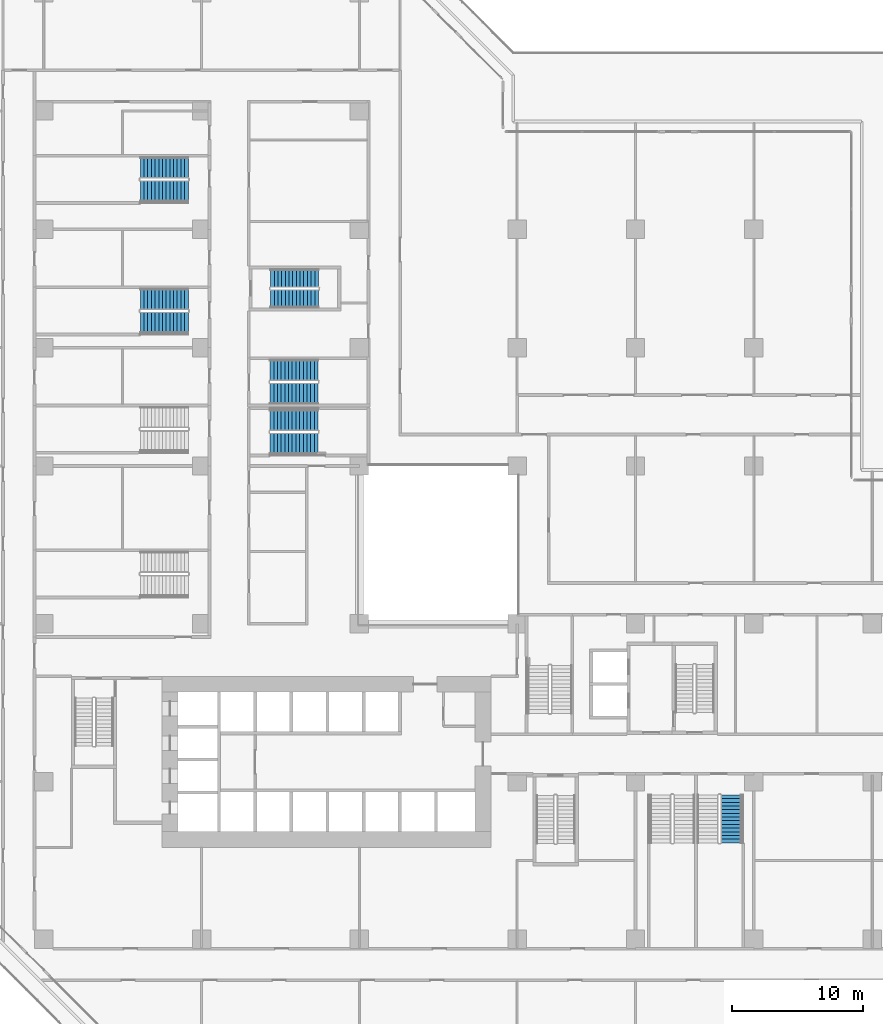
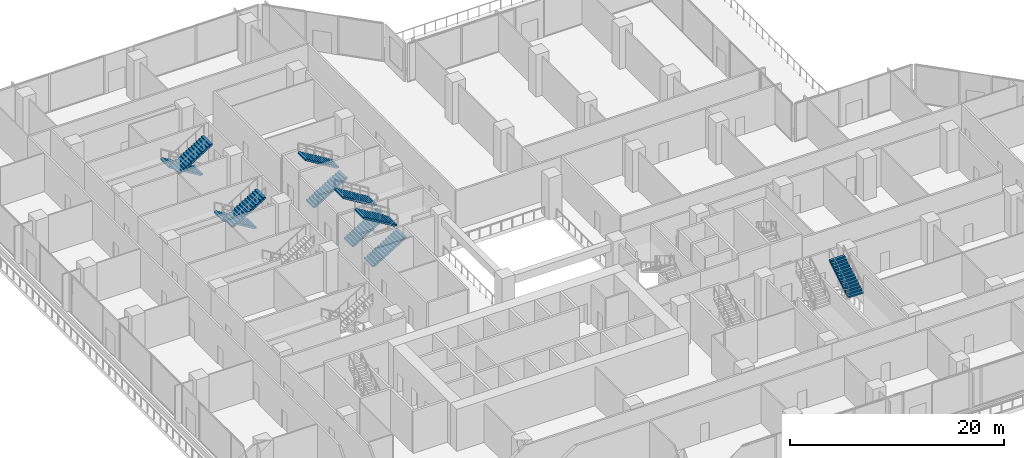
# One storey, part 23 of 31: 11 stair flights, 6 elements without a shape of their own.
"""IFC4 building model written with IfcOpenShell, lengths in metres."""

from ifc_helpers import new_model, si_unit, direction, frame, origin, place, context, subcontext, project, spatial, polyline, outline, extrude, material, type_object, element, aggregate, save


model = new_model("IFC4")

# Units and contexts
model_context = context("Model", 3, precision=1e-05, world=origin(), true_north=direction((0.0, 1.0)))
body_context = subcontext(model_context, "Body", "Model", "MODEL_VIEW")
ifc_project = project(units=[si_unit("LENGTHUNIT", "METRE"), si_unit("AREAUNIT", "SQUARE_METRE"), si_unit("VOLUMEUNIT", "CUBIC_METRE"), si_unit("PLANEANGLEUNIT", "RADIAN"), si_unit("MASSUNIT", "GRAM", prefix="KILO")], contexts=[model_context])

# Site, building, storey
site_placement = place(None, origin())
site = spatial("IfcSite", under=ifc_project, at=site_placement, CompositionType="ELEMENT")
building_placement = place(site_placement, origin())
building = spatial("IfcBuilding", under=site, at=building_placement, Name="Chenar Terraces", CompositionType="ELEMENT")
storey_placement = place(building_placement, frame((0.0, 0.0, 12.0)))
storey = spatial("IfcBuildingStorey", under=building, at=storey_placement, Name="L02", CompositionType="ELEMENT", Elevation=12.0)

# Stair, stair flights
ifc_material_1 = material(Name="Reinforced concrete C40/50", Category="concrete")
stair_type = type_object("IfcStairType", Name="Core stair 1400 half-turn", PredefinedType="HALF_TURN_STAIR", material=ifc_material_1)
placement = place(storey_placement, origin())
stair_1 = element("IfcStair", 1, at=placement, inside=storey, type_object=stair_type, Name="L02 Stair 4", PredefinedType="HALF_TURN_STAIR")
ifc_material_2 = material(Name="Reinforced concrete C40/50", Category="concrete")
stair_flight_type = type_object("IfcStairFlightType", Name="Core stair flight 1400", PredefinedType="STRAIGHT", material=ifc_material_2)
stair_flight_1_placement = place(storey_placement, frame((17.25, 48.72509765625, 0.0), z_axis=(0.0, 0.0, 1.0), x_axis=(1.0, 0.0, 0.0)))
stair_flight_1 = element("IfcStairFlight", 2, at=stair_flight_1_placement, type_object=stair_flight_type, Name="ST4 flight 1", NumberOfRisers=14, NumberOfTreads=13, PredefinedType="STRAIGHT", RiserHeight=0.171428571, TreadLength=0.28, context=body_context, shape_type="SweptSolid", body=[
    extrude(outline(polyline([(-0.0029296875, 0.0), (-0.0029296875, 0.17138671875), (0.0, 0.17138671875), (0.280029296875, 0.17138671875), (0.280029296875, 0.3427734375), (0.56005859375, 0.3427734375), (0.56005859375, 0.514404296875), (0.840087890625, 0.514404296875), (0.840087890625, 0.685791015625), (1.1201171875, 0.685791015625), (1.1201171875, 0.857177734375), (1.39990234375, 0.857177734375), (1.39990234375, 1.028564453125), (1.679931640625, 1.028564453125), (1.679931640625, 1.199951171875), (1.9599609375, 1.199951171875), (1.9599609375, 1.371337890625), (2.239990234375, 1.371337890625), (2.239990234375, 1.54296875), (2.52001953125, 1.54296875), (2.52001953125, 1.71435546875), (2.800048828125, 1.71435546875), (2.800048828125, 1.8857421875), (3.080078125, 1.8857421875), (3.080078125, 2.05712890625), (3.360107421875, 2.05712890625), (3.360107421875, 2.228515625), (3.639892578125, 2.228515625), (3.64306640625, 2.228515625), (3.64306640625, 2.052734375), (3.639892578125, 2.052734375), (0.287109375, 0.0), (-0.0029296875, 0.0)])), frame((0.0, 0.699951171875, 0.0), z_axis=(0.0, -1.0, 0.0), x_axis=(1.0, 0.0, 0.0)), (0.0, 0.0, 1.0), 1.39990234375),
])
stair_flight_2_placement = place(storey_placement, frame((20.889892578125, 50.27490234375, 2.39990234375), z_axis=(0.0, 0.0, 1.0), x_axis=(-1.0, 0.0, 0.0)))
stair_flight_2 = element("IfcStairFlight", 3, at=stair_flight_2_placement, type_object=stair_flight_type, Name="ST4 flight 2", NumberOfRisers=14, NumberOfTreads=13, PredefinedType="STRAIGHT", RiserHeight=0.171428571, TreadLength=0.28, context=body_context, shape_type="SweptSolid", body=[
    extrude(outline(polyline([(-0.0029296875, 0.0), (-0.0029296875, 0.17138671875), (0.0, 0.17138671875), (0.280029296875, 0.17138671875), (0.280029296875, 0.3427734375), (0.56005859375, 0.3427734375), (0.56005859375, 0.514404296875), (0.840087890625, 0.514404296875), (0.840087890625, 0.685791015625), (1.1201171875, 0.685791015625), (1.1201171875, 0.857177734375), (1.39990234375, 0.857177734375), (1.39990234375, 1.028564453125), (1.679931640625, 1.028564453125), (1.679931640625, 1.199951171875), (1.9599609375, 1.199951171875), (1.9599609375, 1.371337890625), (2.239990234375, 1.371337890625), (2.239990234375, 1.54296875), (2.52001953125, 1.54296875), (2.52001953125, 1.71435546875), (2.800048828125, 1.71435546875), (2.800048828125, 1.8857421875), (3.080078125, 1.8857421875), (3.080078125, 2.05712890625), (3.360107421875, 2.05712890625), (3.360107421875, 2.228515625), (3.639892578125, 2.228515625), (3.64306640625, 2.228515625), (3.64306640625, 2.052734375), (3.639892578125, 2.052734375), (0.287109375, 0.0), (-0.0029296875, 0.0)])), frame((0.0, 0.699951171875, 0.0), z_axis=(0.0, -1.0, 0.0), x_axis=(1.0, 0.0, 0.0)), (0.0, 0.0, 1.0), 1.39990234375),
])
aggregate(stair_1, [stair_flight_1, stair_flight_2])

# Stair, stair flight
stair_2 = element("IfcStair", 4, at=placement, inside=storey, type_object=stair_type, Name="L02 Exit stair PS2", PredefinedType="HALF_TURN_STAIR")
stair_flight_3_placement = place(storey_placement, frame((52.282470703125, 7.344970703125, 2.39990234375), z_axis=(0.0, 0.0, 1.0), x_axis=(0.0, 1.0, 0.0)))
stair_flight_3 = element("IfcStairFlight", 5, at=stair_flight_3_placement, type_object=stair_flight_type, Name="PS2 flight 2", NumberOfRisers=14, NumberOfTreads=13, PredefinedType="STRAIGHT", RiserHeight=0.171428571, TreadLength=0.28, context=body_context, shape_type="SweptSolid", body=[
    extrude(outline(polyline([(-0.0029296875, 0.0), (-0.0029296875, 0.17138671875), (0.0, 0.17138671875), (0.280029296875, 0.17138671875), (0.280029296875, 0.3427734375), (0.56005859375, 0.3427734375), (0.56005859375, 0.514404296875), (0.840087890625, 0.514404296875), (0.840087890625, 0.685791015625), (1.1201171875, 0.685791015625), (1.1201171875, 0.857177734375), (1.39990234375, 0.857177734375), (1.39990234375, 1.028564453125), (1.679931640625, 1.028564453125), (1.679931640625, 1.199951171875), (1.9599609375, 1.199951171875), (1.9599609375, 1.371337890625), (2.239990234375, 1.371337890625), (2.239990234375, 1.54296875), (2.52001953125, 1.54296875), (2.52001953125, 1.71435546875), (2.800048828125, 1.71435546875), (2.800048828125, 1.8857421875), (3.080078125, 1.8857421875), (3.080078125, 2.05712890625), (3.360107421875, 2.05712890625), (3.360107421875, 2.228515625), (3.639892578125, 2.228515625), (3.64306640625, 2.228515625), (3.64306640625, 2.052734375), (3.639892578125, 2.052734375), (0.287109375, 0.0), (-0.0029296875, 0.0)])), frame((0.0, 0.8076171875, 0.0), z_axis=(0.0, -1.0, 0.0), x_axis=(1.0, 0.0, 0.0)), (0.0, 0.0, 1.0), 1.614990234375),
])
aggregate(stair_2, [stair_flight_3])

# Stair, stair flights
stair_3 = element("IfcStair", 6, at=placement, inside=storey, type_object=stair_type, Name="L02 Exit stair PS3", PredefinedType="HALF_TURN_STAIR")
stair_flight_4_placement = place(storey_placement, frame((10.985107421875, 58.6826171875, 0.0), z_axis=(0.0, 0.0, 1.0), x_axis=(-1.0, 0.0, 0.0)))
stair_flight_4 = element("IfcStairFlight", 7, at=stair_flight_4_placement, type_object=stair_flight_type, Name="PS3 flight 1", NumberOfRisers=14, NumberOfTreads=13, PredefinedType="STRAIGHT", RiserHeight=0.171428571, TreadLength=0.28, context=body_context, shape_type="SweptSolid", body=[
    extrude(outline(polyline([(-0.0029296875, 0.0), (-0.0029296875, 0.17138671875), (0.0, 0.17138671875), (0.280029296875, 0.17138671875), (0.280029296875, 0.3427734375), (0.56005859375, 0.3427734375), (0.56005859375, 0.514404296875), (0.840087890625, 0.514404296875), (0.840087890625, 0.685791015625), (1.1201171875, 0.685791015625), (1.1201171875, 0.857177734375), (1.39990234375, 0.857177734375), (1.39990234375, 1.028564453125), (1.679931640625, 1.028564453125), (1.679931640625, 1.199951171875), (1.9599609375, 1.199951171875), (1.9599609375, 1.371337890625), (2.239990234375, 1.371337890625), (2.239990234375, 1.54296875), (2.52001953125, 1.54296875), (2.52001953125, 1.71435546875), (2.800048828125, 1.71435546875), (2.800048828125, 1.8857421875), (3.080078125, 1.8857421875), (3.080078125, 2.05712890625), (3.360107421875, 2.05712890625), (3.360107421875, 2.228515625), (3.639892578125, 2.228515625), (3.64306640625, 2.228515625), (3.64306640625, 2.052734375), (3.639892578125, 2.052734375), (0.287109375, 0.0), (-0.0029296875, 0.0)])), frame((0.0, 0.8076171875, 0.0), z_axis=(0.0, -1.0, 0.0), x_axis=(1.0, 0.0, 0.0)), (0.0, 0.0, 1.0), 1.614990234375),
])
stair_flight_5_placement = place(storey_placement, frame((7.344970703125, 56.91748046875, 2.39990234375), z_axis=(0.0, 0.0, 1.0), x_axis=(1.0, 0.0, 0.0)))
stair_flight_5 = element("IfcStairFlight", 8, at=stair_flight_5_placement, type_object=stair_flight_type, Name="PS3 flight 2", NumberOfRisers=14, NumberOfTreads=13, PredefinedType="STRAIGHT", RiserHeight=0.171428571, TreadLength=0.28, context=body_context, shape_type="SweptSolid", body=[
    extrude(outline(polyline([(-0.0029296875, 0.0), (-0.0029296875, 0.17138671875), (0.0, 0.17138671875), (0.280029296875, 0.17138671875), (0.280029296875, 0.3427734375), (0.56005859375, 0.3427734375), (0.56005859375, 0.514404296875), (0.840087890625, 0.514404296875), (0.840087890625, 0.685791015625), (1.1201171875, 0.685791015625), (1.1201171875, 0.857177734375), (1.39990234375, 0.857177734375), (1.39990234375, 1.028564453125), (1.679931640625, 1.028564453125), (1.679931640625, 1.199951171875), (1.9599609375, 1.199951171875), (1.9599609375, 1.371337890625), (2.239990234375, 1.371337890625), (2.239990234375, 1.54296875), (2.52001953125, 1.54296875), (2.52001953125, 1.71435546875), (2.800048828125, 1.71435546875), (2.800048828125, 1.8857421875), (3.080078125, 1.8857421875), (3.080078125, 2.05712890625), (3.360107421875, 2.05712890625), (3.360107421875, 2.228515625), (3.639892578125, 2.228515625), (3.64306640625, 2.228515625), (3.64306640625, 2.052734375), (3.639892578125, 2.052734375), (0.287109375, 0.0), (-0.0029296875, 0.0)])), frame((0.0, 0.8076171875, 0.0), z_axis=(0.0, -1.0, 0.0), x_axis=(1.0, 0.0, 0.0)), (0.0, 0.0, 1.0), 1.614990234375),
])
aggregate(stair_3, [stair_flight_4, stair_flight_5])

stair_4 = element("IfcStair", 9, at=placement, inside=storey, type_object=stair_type, Name="L02 Exit stair PS4", PredefinedType="HALF_TURN_STAIR")
stair_flight_6_placement = place(storey_placement, frame((10.985107421875, 48.6826171875, 0.0), z_axis=(0.0, 0.0, 1.0), x_axis=(-1.0, 0.0, 0.0)))
stair_flight_6 = element("IfcStairFlight", 10, at=stair_flight_6_placement, type_object=stair_flight_type, Name="PS4 flight 1", NumberOfRisers=14, NumberOfTreads=13, PredefinedType="STRAIGHT", RiserHeight=0.171428571, TreadLength=0.28, context=body_context, shape_type="SweptSolid", body=[
    extrude(outline(polyline([(-0.0029296875, 0.0), (-0.0029296875, 0.17138671875), (0.0, 0.17138671875), (0.280029296875, 0.17138671875), (0.280029296875, 0.3427734375), (0.56005859375, 0.3427734375), (0.56005859375, 0.514404296875), (0.840087890625, 0.514404296875), (0.840087890625, 0.685791015625), (1.1201171875, 0.685791015625), (1.1201171875, 0.857177734375), (1.39990234375, 0.857177734375), (1.39990234375, 1.028564453125), (1.679931640625, 1.028564453125), (1.679931640625, 1.199951171875), (1.9599609375, 1.199951171875), (1.9599609375, 1.371337890625), (2.239990234375, 1.371337890625), (2.239990234375, 1.54296875), (2.52001953125, 1.54296875), (2.52001953125, 1.71435546875), (2.800048828125, 1.71435546875), (2.800048828125, 1.8857421875), (3.080078125, 1.8857421875), (3.080078125, 2.05712890625), (3.360107421875, 2.05712890625), (3.360107421875, 2.228515625), (3.639892578125, 2.228515625), (3.64306640625, 2.228515625), (3.64306640625, 2.052734375), (3.639892578125, 2.052734375), (0.287109375, 0.0), (-0.0029296875, 0.0)])), frame((0.0, 0.8076171875, 0.0), z_axis=(0.0, -1.0, 0.0), x_axis=(1.0, 0.0, 0.0)), (0.0, 0.0, 1.0), 1.614990234375),
])
stair_flight_7_placement = place(storey_placement, frame((7.344970703125, 46.91748046875, 2.39990234375), z_axis=(0.0, 0.0, 1.0), x_axis=(1.0, 0.0, 0.0)))
stair_flight_7 = element("IfcStairFlight", 11, at=stair_flight_7_placement, type_object=stair_flight_type, Name="PS4 flight 2", NumberOfRisers=14, NumberOfTreads=13, PredefinedType="STRAIGHT", RiserHeight=0.171428571, TreadLength=0.28, context=body_context, shape_type="SweptSolid", body=[
    extrude(outline(polyline([(-0.0029296875, 0.0), (-0.0029296875, 0.17138671875), (0.0, 0.17138671875), (0.280029296875, 0.17138671875), (0.280029296875, 0.3427734375), (0.56005859375, 0.3427734375), (0.56005859375, 0.514404296875), (0.840087890625, 0.514404296875), (0.840087890625, 0.685791015625), (1.1201171875, 0.685791015625), (1.1201171875, 0.857177734375), (1.39990234375, 0.857177734375), (1.39990234375, 1.028564453125), (1.679931640625, 1.028564453125), (1.679931640625, 1.199951171875), (1.9599609375, 1.199951171875), (1.9599609375, 1.371337890625), (2.239990234375, 1.371337890625), (2.239990234375, 1.54296875), (2.52001953125, 1.54296875), (2.52001953125, 1.71435546875), (2.800048828125, 1.71435546875), (2.800048828125, 1.8857421875), (3.080078125, 1.8857421875), (3.080078125, 2.05712890625), (3.360107421875, 2.05712890625), (3.360107421875, 2.228515625), (3.639892578125, 2.228515625), (3.64306640625, 2.228515625), (3.64306640625, 2.052734375), (3.639892578125, 2.052734375), (0.287109375, 0.0), (-0.0029296875, 0.0)])), frame((0.0, 0.8076171875, 0.0), z_axis=(0.0, -1.0, 0.0), x_axis=(1.0, 0.0, 0.0)), (0.0, 0.0, 1.0), 1.614990234375),
])
aggregate(stair_4, [stair_flight_6, stair_flight_7])

stair_5 = element("IfcStair", 12, at=placement, inside=storey, type_object=stair_type, Name="L02 Exit stair PS7", PredefinedType="HALF_TURN_STAIR")
stair_flight_8_placement = place(storey_placement, frame((17.215087890625, 37.717529296875, 0.0), z_axis=(0.0, 0.0, 1.0), x_axis=(1.0, 0.0, 0.0)))
stair_flight_8 = element("IfcStairFlight", 13, at=stair_flight_8_placement, type_object=stair_flight_type, Name="PS7 flight 1", NumberOfRisers=14, NumberOfTreads=13, PredefinedType="STRAIGHT", RiserHeight=0.171428571, TreadLength=0.28, context=body_context, shape_type="SweptSolid", body=[
    extrude(outline(polyline([(-0.0029296875, 0.0), (-0.0029296875, 0.17138671875), (0.0, 0.17138671875), (0.280029296875, 0.17138671875), (0.280029296875, 0.3427734375), (0.56005859375, 0.3427734375), (0.56005859375, 0.514404296875), (0.840087890625, 0.514404296875), (0.840087890625, 0.685791015625), (1.1201171875, 0.685791015625), (1.1201171875, 0.857177734375), (1.39990234375, 0.857177734375), (1.39990234375, 1.028564453125), (1.679931640625, 1.028564453125), (1.679931640625, 1.199951171875), (1.9599609375, 1.199951171875), (1.9599609375, 1.371337890625), (2.239990234375, 1.371337890625), (2.239990234375, 1.54296875), (2.52001953125, 1.54296875), (2.52001953125, 1.71435546875), (2.800048828125, 1.71435546875), (2.800048828125, 1.8857421875), (3.080078125, 1.8857421875), (3.080078125, 2.05712890625), (3.360107421875, 2.05712890625), (3.360107421875, 2.228515625), (3.639892578125, 2.228515625), (3.64306640625, 2.228515625), (3.64306640625, 2.052734375), (3.639892578125, 2.052734375), (0.287109375, 0.0), (-0.0029296875, 0.0)])), frame((0.0, 0.8076171875, 0.0), z_axis=(0.0, -1.0, 0.0), x_axis=(1.0, 0.0, 0.0)), (0.0, 0.0, 1.0), 1.614990234375),
])
stair_flight_9_placement = place(storey_placement, frame((20.85498046875, 39.482421875, 2.39990234375), z_axis=(0.0, 0.0, 1.0), x_axis=(-1.0, 0.0, 0.0)))
stair_flight_9 = element("IfcStairFlight", 14, at=stair_flight_9_placement, type_object=stair_flight_type, Name="PS7 flight 2", NumberOfRisers=14, NumberOfTreads=13, PredefinedType="STRAIGHT", RiserHeight=0.171428571, TreadLength=0.28, context=body_context, shape_type="SweptSolid", body=[
    extrude(outline(polyline([(-0.0029296875, 0.0), (-0.0029296875, 0.17138671875), (0.0, 0.17138671875), (0.280029296875, 0.17138671875), (0.280029296875, 0.3427734375), (0.56005859375, 0.3427734375), (0.56005859375, 0.514404296875), (0.840087890625, 0.514404296875), (0.840087890625, 0.685791015625), (1.1201171875, 0.685791015625), (1.1201171875, 0.857177734375), (1.39990234375, 0.857177734375), (1.39990234375, 1.028564453125), (1.679931640625, 1.028564453125), (1.679931640625, 1.199951171875), (1.9599609375, 1.199951171875), (1.9599609375, 1.371337890625), (2.239990234375, 1.371337890625), (2.239990234375, 1.54296875), (2.52001953125, 1.54296875), (2.52001953125, 1.71435546875), (2.800048828125, 1.71435546875), (2.800048828125, 1.8857421875), (3.080078125, 1.8857421875), (3.080078125, 2.05712890625), (3.360107421875, 2.05712890625), (3.360107421875, 2.228515625), (3.639892578125, 2.228515625), (3.64306640625, 2.228515625), (3.64306640625, 2.052734375), (3.639892578125, 2.052734375), (0.287109375, 0.0), (-0.0029296875, 0.0)])), frame((0.0, 0.8076171875, 0.0), z_axis=(0.0, -1.0, 0.0), x_axis=(1.0, 0.0, 0.0)), (0.0, 0.0, 1.0), 1.614990234375),
])
aggregate(stair_5, [stair_flight_8, stair_flight_9])

stair_6 = element("IfcStair", 15, at=placement, inside=storey, type_object=stair_type, Name="L02 Exit stair PS8", PredefinedType="HALF_TURN_STAIR")
stair_flight_10_placement = place(storey_placement, frame((17.215087890625, 41.517578125, 0.0), z_axis=(0.0, 0.0, 1.0), x_axis=(1.0, 0.0, 0.0)))
stair_flight_10 = element("IfcStairFlight", 16, at=stair_flight_10_placement, type_object=stair_flight_type, Name="PS8 flight 1", NumberOfRisers=14, NumberOfTreads=13, PredefinedType="STRAIGHT", RiserHeight=0.171428571, TreadLength=0.28, context=body_context, shape_type="SweptSolid", body=[
    extrude(outline(polyline([(-0.0029296875, 0.0), (-0.0029296875, 0.17138671875), (0.0, 0.17138671875), (0.280029296875, 0.17138671875), (0.280029296875, 0.3427734375), (0.56005859375, 0.3427734375), (0.56005859375, 0.514404296875), (0.840087890625, 0.514404296875), (0.840087890625, 0.685791015625), (1.1201171875, 0.685791015625), (1.1201171875, 0.857177734375), (1.39990234375, 0.857177734375), (1.39990234375, 1.028564453125), (1.679931640625, 1.028564453125), (1.679931640625, 1.199951171875), (1.9599609375, 1.199951171875), (1.9599609375, 1.371337890625), (2.239990234375, 1.371337890625), (2.239990234375, 1.54296875), (2.52001953125, 1.54296875), (2.52001953125, 1.71435546875), (2.800048828125, 1.71435546875), (2.800048828125, 1.8857421875), (3.080078125, 1.8857421875), (3.080078125, 2.05712890625), (3.360107421875, 2.05712890625), (3.360107421875, 2.228515625), (3.639892578125, 2.228515625), (3.64306640625, 2.228515625), (3.64306640625, 2.052734375), (3.639892578125, 2.052734375), (0.287109375, 0.0), (-0.0029296875, 0.0)])), frame((0.0, 0.8076171875, 0.0), z_axis=(0.0, -1.0, 0.0), x_axis=(1.0, 0.0, 0.0)), (0.0, 0.0, 1.0), 1.614990234375),
])
stair_flight_11_placement = place(storey_placement, frame((20.85498046875, 43.282470703125, 2.39990234375), z_axis=(0.0, 0.0, 1.0), x_axis=(-1.0, 0.0, 0.0)))
stair_flight_11 = element("IfcStairFlight", 17, at=stair_flight_11_placement, type_object=stair_flight_type, Name="PS8 flight 2", NumberOfRisers=14, NumberOfTreads=13, PredefinedType="STRAIGHT", RiserHeight=0.171428571, TreadLength=0.28, context=body_context, shape_type="SweptSolid", body=[
    extrude(outline(polyline([(-0.0029296875, 0.0), (-0.0029296875, 0.17138671875), (0.0, 0.17138671875), (0.280029296875, 0.17138671875), (0.280029296875, 0.3427734375), (0.56005859375, 0.3427734375), (0.56005859375, 0.514404296875), (0.840087890625, 0.514404296875), (0.840087890625, 0.685791015625), (1.1201171875, 0.685791015625), (1.1201171875, 0.857177734375), (1.39990234375, 0.857177734375), (1.39990234375, 1.028564453125), (1.679931640625, 1.028564453125), (1.679931640625, 1.199951171875), (1.9599609375, 1.199951171875), (1.9599609375, 1.371337890625), (2.239990234375, 1.371337890625), (2.239990234375, 1.54296875), (2.52001953125, 1.54296875), (2.52001953125, 1.71435546875), (2.800048828125, 1.71435546875), (2.800048828125, 1.8857421875), (3.080078125, 1.8857421875), (3.080078125, 2.05712890625), (3.360107421875, 2.05712890625), (3.360107421875, 2.228515625), (3.639892578125, 2.228515625), (3.64306640625, 2.228515625), (3.64306640625, 2.052734375), (3.639892578125, 2.052734375), (0.287109375, 0.0), (-0.0029296875, 0.0)])), frame((0.0, 0.8076171875, 0.0), z_axis=(0.0, -1.0, 0.0), x_axis=(1.0, 0.0, 0.0)), (0.0, 0.0, 1.0), 1.614990234375),
])
aggregate(stair_6, [stair_flight_10, stair_flight_11])

save(model, "model.ifc")
